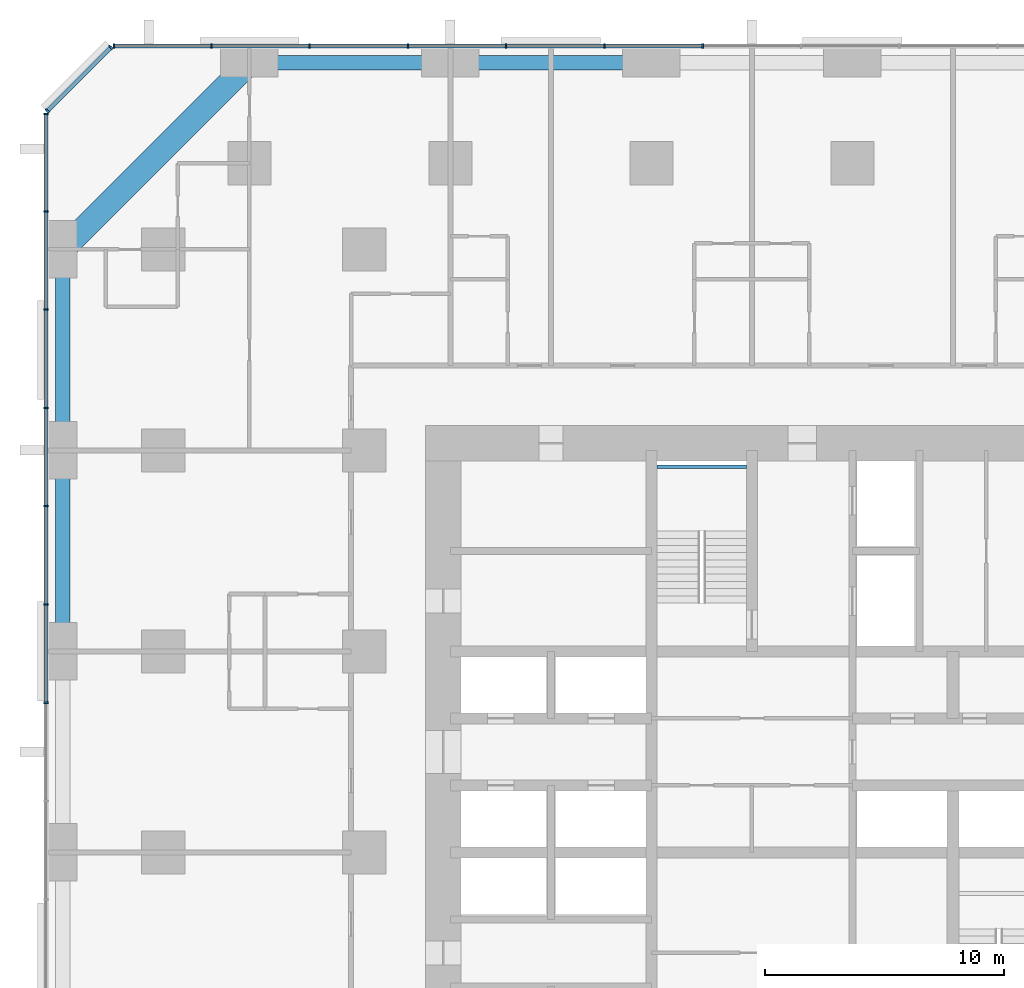
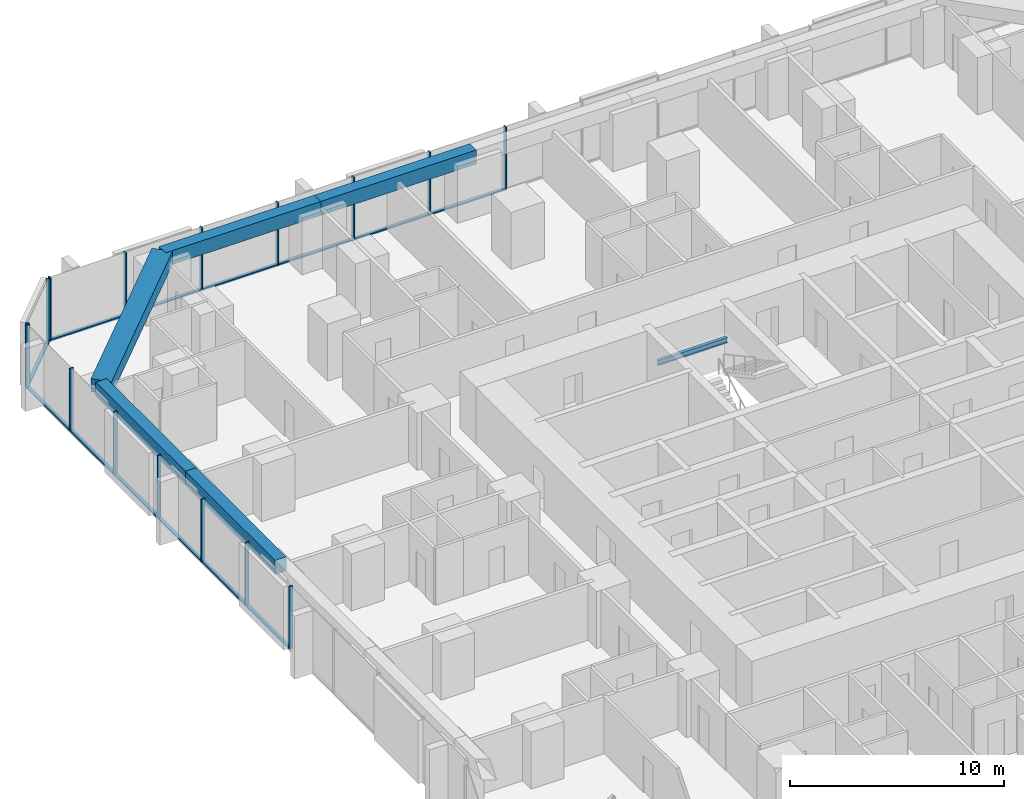
# One storey, part 6 of 17: 29 members, 6 beams, 3 elements without a shape of their own.
"""IFC4 building model written with IfcOpenShell, lengths in metres."""

from ifc_helpers import new_model, si_unit, direction, frame, origin, origin_2d, place, context, subcontext, project, spatial, rectangle, i_section, extrude, material, material_profile, profile_set, type_object, element, aggregate, save


model = new_model("IFC4")

# Units and contexts
model_context = context("Model", 3, precision=1e-05, world=origin(), true_north=direction((0.0, 1.0)))
body_context = subcontext(model_context, "Body", "Model", "MODEL_VIEW")
ifc_project = project(units=[si_unit("LENGTHUNIT", "METRE"), si_unit("AREAUNIT", "SQUARE_METRE"), si_unit("VOLUMEUNIT", "CUBIC_METRE"), si_unit("PLANEANGLEUNIT", "RADIAN"), si_unit("MASSUNIT", "GRAM", prefix="KILO")], contexts=[model_context])

# Site, building, storey
site_placement = place(None, origin())
site = spatial("IfcSite", under=ifc_project, at=site_placement, CompositionType="ELEMENT")
building_placement = place(site_placement, origin())
building = spatial("IfcBuilding", under=site, at=building_placement, Name="Dunama Terrace Hotel", CompositionType="ELEMENT")
storey_placement = place(building_placement, frame((0.0, 0.0, 73.800048828125)))
storey = spatial("IfcBuildingStorey", under=building, at=storey_placement, Name="L18", CompositionType="ELEMENT", Elevation=73.800048828125)

# Curtain wall, members
ifc_material_1 = material(Name="Aluminium curtain wall system", Category="aluminium")
curtain_wall_type = type_object("IfcCurtainWallType", Name="Unitised fritted glass wall CW-A", PredefinedType="NOTDEFINED", material=ifc_material_1)
curtain_wall_1_placement = place(storey_placement, origin())
curtain_wall_1 = element("IfcCurtainWall", 1, at=curtain_wall_1_placement, inside=storey, type_object=curtain_wall_type, Name="Unitised fritted glass wall CW-A L18", PredefinedType="NOTDEFINED")
ifc_material_2 = material(Name="Aluminium mullion", Category="aluminium")
ifc_material_profile_1 = material_profile(ifc_material_2, rectangle(XDim=0.06494140625, YDim=0.199951171875, at=origin_2d()), Name="CWA MULLION 65X200")
ifc_profile_set_1 = profile_set([ifc_material_profile_1], Name="Aluminium mullion")
member_type_1 = type_object("IfcMemberType", Name="CWA mullion 65x200", PredefinedType="MULLION", material=ifc_profile_set_1)
member_1_placement = place(storey_placement, frame((27.345947265625, 58.89990234375, 0.0), z_axis=(0.0, 0.0, 1.0), x_axis=(-1.0, 0.0, 0.0)))
member_1 = element("IfcMember", 2, at=member_1_placement, type_object=member_type_1, Name="CWA mullion", PredefinedType="MULLION", context=body_context, shape_type="SweptSolid", body=[
    extrude(rectangle(XDim=0.06494140625, YDim=0.199951171875, at=origin_2d()), origin(), (0.0, 0.0, 1.0), 3.599853515625),
])
member_2_placement = place(storey_placement, frame((23.238037109375, 58.89990234375, 0.0), z_axis=(0.0, 0.0, 1.0), x_axis=(-1.0, 0.0, 0.0)))
member_2 = element("IfcMember", 3, at=member_2_placement, type_object=member_type_1, Name="CWA mullion", PredefinedType="MULLION", context=body_context, shape_type="SweptSolid", body=[
    extrude(rectangle(XDim=0.06494140625, YDim=0.199951171875, at=origin_2d()), origin(), (0.0, 0.0, 1.0), 3.599853515625),
])
member_3_placement = place(storey_placement, frame((19.131103515625, 58.89990234375, 0.0), z_axis=(0.0, 0.0, 1.0), x_axis=(-1.0, 0.0, 0.0)))
member_3 = element("IfcMember", 4, at=member_3_placement, type_object=member_type_1, Name="CWA mullion", PredefinedType="MULLION", context=body_context, shape_type="SweptSolid", body=[
    extrude(rectangle(XDim=0.06494140625, YDim=0.199951171875, at=origin_2d()), origin(), (0.0, 0.0, 1.0), 3.599853515625),
])
member_4_placement = place(storey_placement, frame((15.02294921875, 58.89990234375, 0.0), z_axis=(0.0, 0.0, 1.0), x_axis=(-1.0, 0.0, 0.0)))
member_4 = element("IfcMember", 5, at=member_4_placement, type_object=member_type_1, Name="CWA mullion", PredefinedType="MULLION", context=body_context, shape_type="SweptSolid", body=[
    extrude(rectangle(XDim=0.06494140625, YDim=0.199951171875, at=origin_2d()), origin(), (0.0, 0.0, 1.0), 3.599853515625),
])
member_5_placement = place(storey_placement, frame((10.9150390625, 58.89990234375, 0.0), z_axis=(0.0, 0.0, 1.0), x_axis=(-1.0, 0.0, 0.0)))
member_5 = element("IfcMember", 6, at=member_5_placement, type_object=member_type_1, Name="CWA mullion", PredefinedType="MULLION", context=body_context, shape_type="SweptSolid", body=[
    extrude(rectangle(XDim=0.06494140625, YDim=0.199951171875, at=origin_2d()), origin(), (0.0, 0.0, 1.0), 3.599853515625),
])
member_6_placement = place(storey_placement, frame((6.80810546875, 58.89990234375, 0.0), z_axis=(0.0, 0.0, 1.0), x_axis=(-1.0, 0.0, 0.0)))
member_6 = element("IfcMember", 7, at=member_6_placement, type_object=member_type_1, Name="CWA mullion", PredefinedType="MULLION", context=body_context, shape_type="SweptSolid", body=[
    extrude(rectangle(XDim=0.06494140625, YDim=0.199951171875, at=origin_2d()), origin(), (0.0, 0.0, 1.0), 3.599853515625),
])
member_7_placement = place(storey_placement, frame((2.73291015625, 58.89990234375, 0.0), z_axis=(0.0, 0.0, 1.0), x_axis=(-1.0, 0.0, 0.0)))
member_7 = element("IfcMember", 8, at=member_7_placement, type_object=member_type_1, Name="CWA mullion", PredefinedType="MULLION", context=body_context, shape_type="SweptSolid", body=[
    extrude(rectangle(XDim=0.06494140625, YDim=0.199951171875, at=origin_2d()), origin(), (0.0, 0.0, 1.0), 3.599853515625),
])

curtain_wall_2_placement = place(storey_placement, origin())
curtain_wall_2 = element("IfcCurtainWall", 9, at=curtain_wall_2_placement, inside=storey, type_object=curtain_wall_type, Name="Unitised fritted glass wall CW-A L18", PredefinedType="NOTDEFINED")
member_8_placement = place(storey_placement, frame((2.60595703125, 58.847900390625, 0.0), z_axis=(0.0, 0.0, 1.0), x_axis=(-0.707106781187, -0.707106781187, 0.0)))
member_8 = element("IfcMember", 10, at=member_8_placement, type_object=member_type_1, Name="CWA mullion", PredefinedType="MULLION", context=body_context, shape_type="SweptSolid", body=[
    extrude(rectangle(XDim=0.06494140625, YDim=0.199951171875, at=origin_2d()), origin(), (0.0, 0.0, 1.0), 3.599853515625),
])
member_9_placement = place(storey_placement, frame((-0.048095703125, 56.194091796875, 0.0), z_axis=(0.0, 0.0, 1.0), x_axis=(-0.707106781187, -0.707106781187, 0.0)))
member_9 = element("IfcMember", 11, at=member_9_placement, type_object=member_type_1, Name="CWA mullion", PredefinedType="MULLION", context=body_context, shape_type="SweptSolid", body=[
    extrude(rectangle(XDim=0.06494140625, YDim=0.199951171875, at=origin_2d()), origin(), (0.0, 0.0, 1.0), 3.599853515625),
])

curtain_wall_3_placement = place(storey_placement, origin())
curtain_wall_3 = element("IfcCurtainWall", 12, at=curtain_wall_3_placement, inside=storey, type_object=curtain_wall_type, Name="Unitised fritted glass wall CW-A L18", PredefinedType="NOTDEFINED")
member_10_placement = place(storey_placement, frame((-0.10009765625, 56.06689453125, 0.0), z_axis=(0.0, 0.0, 1.0), x_axis=(0.0, -1.0, 0.0)))
member_10 = element("IfcMember", 13, at=member_10_placement, type_object=member_type_1, Name="CWA mullion", PredefinedType="MULLION", context=body_context, shape_type="SweptSolid", body=[
    extrude(rectangle(XDim=0.06494140625, YDim=0.199951171875, at=origin_2d()), origin(), (0.0, 0.0, 1.0), 3.599853515625),
])
member_11_placement = place(storey_placement, frame((-0.10009765625, 51.991943359375, 0.0), z_axis=(0.0, 0.0, 1.0), x_axis=(0.0, -1.0, 0.0)))
member_11 = element("IfcMember", 14, at=member_11_placement, type_object=member_type_1, Name="CWA mullion", PredefinedType="MULLION", context=body_context, shape_type="SweptSolid", body=[
    extrude(rectangle(XDim=0.06494140625, YDim=0.199951171875, at=origin_2d()), origin(), (0.0, 0.0, 1.0), 3.599853515625),
])
member_12_placement = place(storey_placement, frame((-0.10009765625, 47.885009765625, 0.0), z_axis=(0.0, 0.0, 1.0), x_axis=(0.0, -1.0, 0.0)))
member_12 = element("IfcMember", 15, at=member_12_placement, type_object=member_type_1, Name="CWA mullion", PredefinedType="MULLION", context=body_context, shape_type="SweptSolid", body=[
    extrude(rectangle(XDim=0.06494140625, YDim=0.199951171875, at=origin_2d()), origin(), (0.0, 0.0, 1.0), 3.599853515625),
])
member_13_placement = place(storey_placement, frame((-0.10009765625, 43.777099609375, 0.0), z_axis=(0.0, 0.0, 1.0), x_axis=(0.0, -1.0, 0.0)))
member_13 = element("IfcMember", 16, at=member_13_placement, type_object=member_type_1, Name="CWA mullion", PredefinedType="MULLION", context=body_context, shape_type="SweptSolid", body=[
    extrude(rectangle(XDim=0.06494140625, YDim=0.199951171875, at=origin_2d()), origin(), (0.0, 0.0, 1.0), 3.599853515625),
])
member_14_placement = place(storey_placement, frame((-0.10009765625, 39.6689453125, 0.0), z_axis=(0.0, 0.0, 1.0), x_axis=(0.0, -1.0, 0.0)))
member_14 = element("IfcMember", 17, at=member_14_placement, type_object=member_type_1, Name="CWA mullion", PredefinedType="MULLION", context=body_context, shape_type="SweptSolid", body=[
    extrude(rectangle(XDim=0.06494140625, YDim=0.199951171875, at=origin_2d()), origin(), (0.0, 0.0, 1.0), 3.599853515625),
])
member_15_placement = place(storey_placement, frame((-0.10009765625, 35.56201171875, 0.0), z_axis=(0.0, 0.0, 1.0), x_axis=(0.0, -1.0, 0.0)))
member_15 = element("IfcMember", 18, at=member_15_placement, type_object=member_type_1, Name="CWA mullion", PredefinedType="MULLION", context=body_context, shape_type="SweptSolid", body=[
    extrude(rectangle(XDim=0.06494140625, YDim=0.199951171875, at=origin_2d()), origin(), (0.0, 0.0, 1.0), 3.599853515625),
])
member_16_placement = place(storey_placement, frame((-0.10009765625, 31.4541015625, 0.0), z_axis=(0.0, 0.0, 1.0), x_axis=(0.0, -1.0, 0.0)))
member_16 = element("IfcMember", 19, at=member_16_placement, type_object=member_type_1, Name="CWA mullion", PredefinedType="MULLION", context=body_context, shape_type="SweptSolid", body=[
    extrude(rectangle(XDim=0.06494140625, YDim=0.199951171875, at=origin_2d()), origin(), (0.0, 0.0, 1.0), 3.599853515625),
])

# Member
ifc_material_3 = material(Name="Aluminium transom", Category="aluminium")
ifc_material_profile_2 = material_profile(ifc_material_3, rectangle(XDim=0.179931640625, YDim=0.074951171875, at=origin_2d()), Name="CWA TRANSOM 180X75")
ifc_profile_set_2 = profile_set([ifc_material_profile_2], Name="Aluminium transom")
member_type_2 = type_object("IfcMemberType", Name="CWA transom 180x75", PredefinedType="USERDEFINED", material=ifc_profile_set_2)
member_17_placement = place(storey_placement, frame((27.31396484375, 58.89990234375, 0.037353515625), z_axis=(-1.0, 0.0, 0.0), x_axis=(0.0, -1.0, 0.0)))
member_17 = element("IfcMember", 20, at=member_17_placement, type_object=member_type_2, Name="CWA transom", ObjectType="TRANSOM", PredefinedType="USERDEFINED", context=body_context, shape_type="SweptSolid", body=[
    extrude(rectangle(XDim=0.179931640625, YDim=0.074951171875, at=origin_2d()), origin(), (0.0, 0.0, 1.0), 4.04296875),
])

member_18_placement = place(storey_placement, frame((23.2060546875, 58.89990234375, 0.037353515625), z_axis=(-1.0, 0.0, 0.0), x_axis=(0.0, -1.0, 0.0)))
member_18 = element("IfcMember", 21, at=member_18_placement, type_object=member_type_2, Name="CWA transom", ObjectType="TRANSOM", PredefinedType="USERDEFINED", context=body_context, shape_type="SweptSolid", body=[
    extrude(rectangle(XDim=0.179931640625, YDim=0.074951171875, at=origin_2d()), origin(), (0.0, 0.0, 1.0), 4.04296875),
])

member_19_placement = place(storey_placement, frame((19.097900390625, 58.89990234375, 0.037353515625), z_axis=(-1.0, 0.0, 0.0), x_axis=(0.0, -1.0, 0.0)))
member_19 = element("IfcMember", 22, at=member_19_placement, type_object=member_type_2, Name="CWA transom", ObjectType="TRANSOM", PredefinedType="USERDEFINED", context=body_context, shape_type="SweptSolid", body=[
    extrude(rectangle(XDim=0.179931640625, YDim=0.074951171875, at=origin_2d()), origin(), (0.0, 0.0, 1.0), 4.0419921875),
])

member_20_placement = place(storey_placement, frame((14.990966796875, 58.89990234375, 0.037353515625), z_axis=(-1.0, 0.0, 0.0), x_axis=(0.0, -1.0, 0.0)))
member_20 = element("IfcMember", 23, at=member_20_placement, type_object=member_type_2, Name="CWA transom", ObjectType="TRANSOM", PredefinedType="USERDEFINED", context=body_context, shape_type="SweptSolid", body=[
    extrude(rectangle(XDim=0.179931640625, YDim=0.074951171875, at=origin_2d()), origin(), (0.0, 0.0, 1.0), 4.04296875),
])

member_21_placement = place(storey_placement, frame((10.883056640625, 58.89990234375, 0.037353515625), z_axis=(-1.0, 0.0, 0.0), x_axis=(0.0, -1.0, 0.0)))
member_21 = element("IfcMember", 24, at=member_21_placement, type_object=member_type_2, Name="CWA transom", ObjectType="TRANSOM", PredefinedType="USERDEFINED", context=body_context, shape_type="SweptSolid", body=[
    extrude(rectangle(XDim=0.179931640625, YDim=0.074951171875, at=origin_2d()), origin(), (0.0, 0.0, 1.0), 4.04296875),
])

member_22_placement = place(storey_placement, frame((6.77490234375, 58.89990234375, 0.037353515625), z_axis=(-1.0, 0.0, 0.0), x_axis=(0.0, -1.0, 0.0)))
member_22 = element("IfcMember", 25, at=member_22_placement, type_object=member_type_2, Name="CWA transom", ObjectType="TRANSOM", PredefinedType="USERDEFINED", context=body_context, shape_type="SweptSolid", body=[
    extrude(rectangle(XDim=0.179931640625, YDim=0.074951171875, at=origin_2d()), origin(), (0.0, 0.0, 1.0), 4.010009765625),
])

aggregate(curtain_wall_1, [member_1, member_2, member_3, member_4, member_5, member_6, member_7, member_17, member_18, member_19, member_20, member_21, member_22])

member_23_placement = place(storey_placement, frame((2.5830078125, 58.824951171875, 0.037353515625), z_axis=(-0.707106781187, -0.707106781187, 0.0), x_axis=(0.707106781187, -0.707106781187, 0.0)))
member_23 = element("IfcMember", 26, at=member_23_placement, type_object=member_type_2, Name="CWA transom", ObjectType="TRANSOM", PredefinedType="USERDEFINED", context=body_context, shape_type="SweptSolid", body=[
    extrude(rectangle(XDim=0.179931640625, YDim=0.074951171875, at=origin_2d()), origin(), (0.0, 0.0, 1.0), 3.688232421875),
])

aggregate(curtain_wall_2, [member_8, member_9, member_23])

member_24_placement = place(storey_placement, frame((-0.10009765625, 56.034912109375, 0.037353515625), z_axis=(0.0, -1.0, 0.0), x_axis=(1.0, 0.0, 0.0)))
member_24 = element("IfcMember", 27, at=member_24_placement, type_object=member_type_2, Name="CWA transom", ObjectType="TRANSOM", PredefinedType="USERDEFINED", context=body_context, shape_type="SweptSolid", body=[
    extrude(rectangle(XDim=0.179931640625, YDim=0.074951171875, at=origin_2d()), origin(), (0.0, 0.0, 1.0), 4.010009765625),
])

member_25_placement = place(storey_placement, frame((-0.10009765625, 51.9599609375, 0.037353515625), z_axis=(0.0, -1.0, 0.0), x_axis=(1.0, 0.0, 0.0)))
member_25 = element("IfcMember", 28, at=member_25_placement, type_object=member_type_2, Name="CWA transom", ObjectType="TRANSOM", PredefinedType="USERDEFINED", context=body_context, shape_type="SweptSolid", body=[
    extrude(rectangle(XDim=0.179931640625, YDim=0.074951171875, at=origin_2d()), origin(), (0.0, 0.0, 1.0), 4.04296875),
])

member_26_placement = place(storey_placement, frame((-0.10009765625, 47.85205078125, 0.037353515625), z_axis=(0.0, -1.0, 0.0), x_axis=(1.0, 0.0, 0.0)))
member_26 = element("IfcMember", 29, at=member_26_placement, type_object=member_type_2, Name="CWA transom", ObjectType="TRANSOM", PredefinedType="USERDEFINED", context=body_context, shape_type="SweptSolid", body=[
    extrude(rectangle(XDim=0.179931640625, YDim=0.074951171875, at=origin_2d()), origin(), (0.0, 0.0, 1.0), 4.04296875),
])

member_27_placement = place(storey_placement, frame((-0.10009765625, 43.743896484375, 0.037353515625), z_axis=(0.0, -1.0, 0.0), x_axis=(1.0, 0.0, 0.0)))
member_27 = element("IfcMember", 30, at=member_27_placement, type_object=member_type_2, Name="CWA transom", ObjectType="TRANSOM", PredefinedType="USERDEFINED", context=body_context, shape_type="SweptSolid", body=[
    extrude(rectangle(XDim=0.179931640625, YDim=0.074951171875, at=origin_2d()), origin(), (0.0, 0.0, 1.0), 4.0419921875),
])

member_28_placement = place(storey_placement, frame((-0.10009765625, 39.636962890625, 0.037353515625), z_axis=(0.0, -1.0, 0.0), x_axis=(1.0, 0.0, 0.0)))
member_28 = element("IfcMember", 31, at=member_28_placement, type_object=member_type_2, Name="CWA transom", ObjectType="TRANSOM", PredefinedType="USERDEFINED", context=body_context, shape_type="SweptSolid", body=[
    extrude(rectangle(XDim=0.179931640625, YDim=0.074951171875, at=origin_2d()), origin(), (0.0, 0.0, 1.0), 4.04296875),
])

member_29_placement = place(storey_placement, frame((-0.10009765625, 35.529052734375, 0.037353515625), z_axis=(0.0, -1.0, 0.0), x_axis=(1.0, 0.0, 0.0)))
member_29 = element("IfcMember", 32, at=member_29_placement, type_object=member_type_2, Name="CWA transom", ObjectType="TRANSOM", PredefinedType="USERDEFINED", context=body_context, shape_type="SweptSolid", body=[
    extrude(rectangle(XDim=0.179931640625, YDim=0.074951171875, at=origin_2d()), origin(), (0.0, 0.0, 1.0), 4.04296875),
])

aggregate(curtain_wall_3, [member_10, member_11, member_12, member_13, member_14, member_15, member_16, member_24, member_25, member_26, member_27, member_28, member_29])

# Beams
ifc_material_4 = material(Name="Concrete C50/60", Category="concrete")
ifc_material_profile_3 = material_profile(ifc_material_4, rectangle(XDim=1.0, YDim=0.75, at=origin_2d()), Name="RC 1000x750")
ifc_profile_set_3 = profile_set([ifc_material_profile_3], Name="Concrete C50/60")
beam_type_1 = type_object("IfcBeamType", Name="Edge beam RC 1000x750", PredefinedType="SPANDREL", material=ifc_profile_set_3)
beam_1_placement = place(storey_placement, frame((8.39990234375, 58.199951171875, 3.224853515625), z_axis=(-0.707095714747, -0.707117847453, 0.0), x_axis=(0.707117847453, -0.707095714747, 0.0)))
element("IfcBeam", 33, at=beam_1_placement, inside=storey, type_object=beam_type_1, Name="Corner edge beam under L19", PredefinedType="SPANDREL", context=body_context, shape_type="SweptSolid", body=[
    extrude(rectangle(XDim=1.0, YDim=0.75, at=origin_2d()), origin(), (0.0, 0.0, 1.0), 11.03076171875),
])
ifc_material_5 = material(Name="Concrete C40/50", Category="concrete")
ifc_material_profile_4 = material_profile(ifc_material_5, rectangle(XDim=0.60009765625, YDim=0.800048828125, at=origin_2d()), Name="RC 600x800")
ifc_profile_set_4 = profile_set([ifc_material_profile_4], Name="Concrete C40/50")
beam_type_2 = type_object("IfcBeamType", Name="Edge beam RC 600x800", PredefinedType="SPANDREL", material=ifc_profile_set_4)
for number, where, z_axis, x_axis, name in (
    (34, (0.60009765625, 33.60009765625, 3.199951171875), (0.0, 1.0, 0.0), (-1.0, 0.0, 0.0), "Edge beam under L19"),
    (35, (0.60009765625, 42.0, 3.199951171875), (0.0, 1.0, 0.0), (-1.0, 0.0, 0.0), "Edge beam under L19"),
):
    element("IfcBeam", number, at=place(storey_placement, frame(where, z_axis=z_axis, x_axis=x_axis)), inside=storey, type_object=beam_type_2, Name=name, PredefinedType="SPANDREL", context=body_context, shape_type="SweptSolid", body=[
        extrude(rectangle(XDim=0.60009765625, YDim=0.800048828125, at=origin_2d()), origin(), (0.0, 0.0, 1.0), 8.39990234375),
    ])
beam_2_placement = place(storey_placement, frame((8.39990234375, 58.199951171875, 3.199951171875), z_axis=(1.0, 0.0, 0.0), x_axis=(0.0, 1.0, 0.0)))
element("IfcBeam", 36, at=beam_2_placement, inside=storey, type_object=beam_type_2, Name="Edge beam under L19", PredefinedType="SPANDREL", context=body_context, shape_type="SweptSolid", body=[
    extrude(rectangle(XDim=0.60009765625, YDim=0.800048828125, at=origin_2d()), origin(), (0.0, 0.0, 1.0), 8.400146484375),
])
beam_3_placement = place(storey_placement, frame((16.800048828125, 58.199951171875, 3.199951171875), z_axis=(1.0, 0.0, 0.0), x_axis=(0.0, 1.0, 0.0)))
element("IfcBeam", 37, at=beam_3_placement, inside=storey, type_object=beam_type_2, Name="Edge beam under L19", PredefinedType="SPANDREL", context=body_context, shape_type="SweptSolid", body=[
    extrude(rectangle(XDim=0.60009765625, YDim=0.800048828125, at=origin_2d()), origin(), (0.0, 0.0, 1.0), 8.39990234375),
])
ifc_material_6 = material(Name="Steel S355", Category="steel")
ifc_material_profile_5 = material_profile(ifc_material_6, i_section(OverallWidth=0.1650390625, OverallDepth=0.303466796875, WebThickness=0.006103515625, FlangeThickness=0.01025390625, FilletRadius=0.0087890625, at=origin_2d()), Name="UB 305x165x40")
ifc_profile_set_5 = profile_set([ifc_material_profile_5], Name="Steel S355")
beam_type_3 = type_object("IfcBeamType", Name="Stair beam UB 305x165x40", PredefinedType="BEAM", material=ifc_profile_set_5)
beam_4_placement = place(storey_placement, frame((25.425048828125, 41.3173828125, 1.4482421875), z_axis=(1.0, 0.0, 0.0), x_axis=(0.0, 1.0, 0.0)))
element("IfcBeam", 38, at=beam_4_placement, inside=storey, type_object=beam_type_3, Name="Stair landing beam ST1 L18", PredefinedType="BEAM", context=body_context, shape_type="SweptSolid", body=[
    extrude(i_section(OverallWidth=0.1650390625, OverallDepth=0.303466796875, WebThickness=0.006103515625, FlangeThickness=0.01025390625, FilletRadius=0.0087890625, at=origin_2d()), origin(), (0.0, 0.0, 1.0), 3.75),
])

save(model, "model.ifc")
